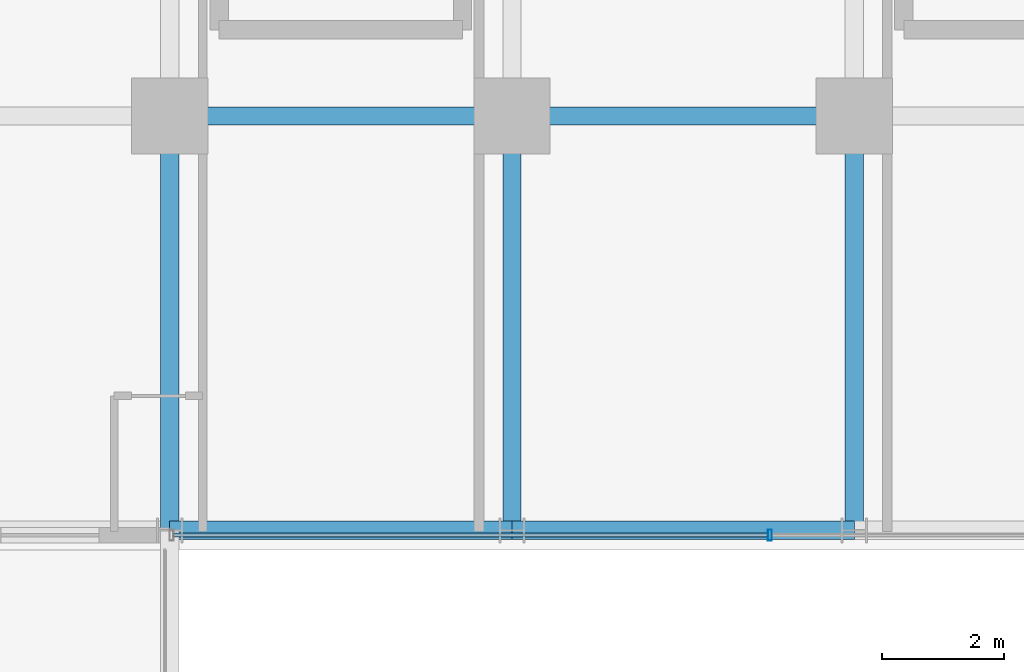
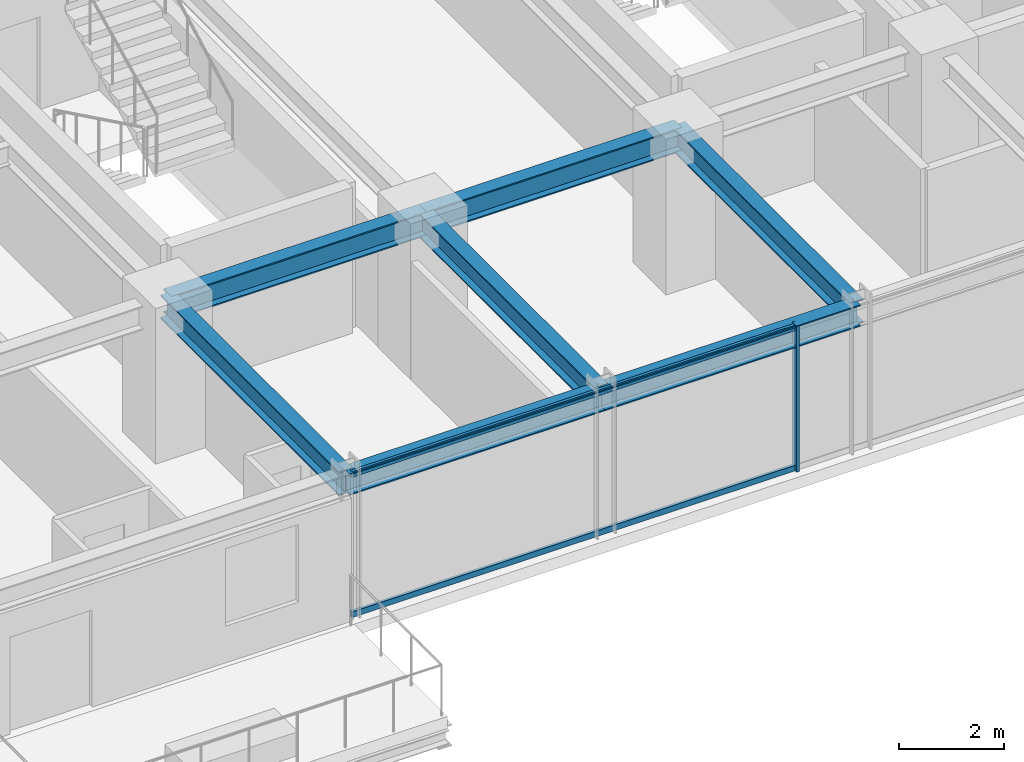
# One storey, part 6 of 32: 7 beams, 3 members, 1 element without a shape of its own.
"""IFC4 building model written with IfcOpenShell, lengths in metres."""

from ifc_helpers import new_model, si_unit, direction, frame, origin, origin_2d, place, context, subcontext, project, spatial, hollow_rectangle, i_section, extrude, source, transform, mapped, material, material_profile, profile_set, type_object, element, aggregate, save


model = new_model("IFC4")

# Units and contexts
model_context = context("Model", 3, precision=1e-05, world=origin(), true_north=direction((0.0, 1.0)))
body_context = subcontext(model_context, "Body", "Model", "MODEL_VIEW")
ifc_project = project(units=[si_unit("LENGTHUNIT", "METRE"), si_unit("AREAUNIT", "SQUARE_METRE"), si_unit("VOLUMEUNIT", "CUBIC_METRE"), si_unit("PLANEANGLEUNIT", "RADIAN"), si_unit("MASSUNIT", "GRAM", prefix="KILO")], contexts=[model_context])

# Site, building, storey
site_placement = place(None, origin())
site = spatial("IfcSite", under=ifc_project, at=site_placement, CompositionType="ELEMENT")
building_placement = place(site_placement, origin())
building = spatial("IfcBuilding", under=site, at=building_placement, Name="Nahalor Promenade Grand Hotel", CompositionType="ELEMENT")
storey_placement = place(building_placement, frame((0.0, 0.0, 124.800048828125)))
storey = spatial("IfcBuildingStorey", under=building, at=storey_placement, Name="L31", CompositionType="ELEMENT", Elevation=124.800048828125)

# Beams
ifc_material_1 = material(Name="Steel S355JR", Category="steel")
ifc_material_profile_1 = material_profile(ifc_material_1, i_section(OverallWidth=0.3, OverallDepth=0.5, WebThickness=0.0145, FlangeThickness=0.028, at=origin_2d()), Name="HEB 500")
ifc_profile_set_1 = profile_set([ifc_material_profile_1], Name="Steel S355JR")
beam_type_1 = type_object("IfcBeamType", Name="Beam-Spandrel-HEB500", PredefinedType="SPANDREL", material=ifc_profile_set_1)
shared_shape_1 = source(origin(), body_context, "Body", "SweptSolid", [
    extrude(i_section(OverallWidth=0.3, OverallDepth=0.5, WebThickness=0.0145, FlangeThickness=0.028, at=origin_2d()), origin(), (0.0, 0.0, 1.0), 5.599853515625),
])
beam_1_placement = place(storey_placement, frame((-8.39990234375, -23.780029296875, 3.1298828125), z_axis=(1.0, 0.0, 0.0), x_axis=(0.0, 1.0, 0.0)))
element("IfcBeam", 1, at=beam_1_placement, inside=storey, type_object=beam_type_1, Name="BM-L31-SP-S-1", PredefinedType="SPANDREL", context=body_context, shape_type="MappedRepresentation", body=[
    mapped(shared_shape_1, transform((0.0, 0.0, 0.0), scale=1.0)),
])
shared_shape_2 = source(origin(), body_context, "Body", "SweptSolid", [
    extrude(i_section(OverallWidth=0.3, OverallDepth=0.5, WebThickness=0.0145, FlangeThickness=0.028, at=origin_2d()), origin(), (0.0, 0.0, 1.0), 5.60009765625),
])
beam_2_placement = place(storey_placement, frame((-2.800048828125, -23.780029296875, 3.1298828125), z_axis=(1.0, 0.0, 0.0), x_axis=(0.0, 1.0, 0.0)))
element("IfcBeam", 2, at=beam_2_placement, inside=storey, type_object=beam_type_1, Name="BM-L31-SP-S-2", PredefinedType="SPANDREL", context=body_context, shape_type="MappedRepresentation", body=[
    mapped(shared_shape_2, transform((0.0, 0.0, 0.0), scale=1.0)),
])
ifc_material_profile_2 = material_profile(ifc_material_1, i_section(OverallWidth=0.3, OverallDepth=0.55, WebThickness=0.015, FlangeThickness=0.029, at=origin_2d()), Name="HEB 550")
ifc_profile_set_2 = profile_set([ifc_material_profile_2], Name="Steel S355JR")
beam_type_2 = type_object("IfcBeamType", Name="Beam-Girder-HEB550", PredefinedType="BEAM", material=ifc_profile_set_2)
shared_shape_3 = source(origin(), body_context, "Body", "SweptSolid", [
    extrude(i_section(OverallWidth=0.3, OverallDepth=0.55, WebThickness=0.015, FlangeThickness=0.029, at=origin_2d()), origin(), (0.0, 0.0, 1.0), 6.780029296875),
])
for number, where, z_axis, x_axis, name in (
    (3, (-8.39990234375, -23.780029296875, 3.10498046875), (0.0, 1.0, 0.0), (-1.0, 0.0, 0.0), "BM-L31-GY-1-0"),
    (4, (-2.800048828125, -23.780029296875, 3.10498046875), (0.0, 1.0, 0.0), (-1.0, 0.0, 0.0), "BM-L31-GY-2-0"),
    (5, (2.800048828125, -23.780029296875, 3.10498046875), (0.0, 1.0, 0.0), (-1.0, 0.0, 0.0), "BM-L31-GY-3-0"),
):
    element("IfcBeam", number, at=place(storey_placement, frame(where, z_axis=z_axis, x_axis=x_axis)), inside=storey, type_object=beam_type_2, Name=name, PredefinedType="BEAM", context=body_context, shape_type="MappedRepresentation", body=[
        mapped(shared_shape_3, transform((0.0, 0.0, 0.0), scale=1.0)),
    ])
shared_shape_4 = source(origin(), body_context, "Body", "SweptSolid", [
    extrude(i_section(OverallWidth=0.3, OverallDepth=0.55, WebThickness=0.015, FlangeThickness=0.029, at=origin_2d()), origin(), (0.0, 0.0, 1.0), 5.599853515625),
])
beam_3_placement = place(storey_placement, frame((-8.39990234375, -17.0, 3.10498046875), z_axis=(1.0, 0.0, 0.0), x_axis=(0.0, 1.0, 0.0)))
element("IfcBeam", 6, at=beam_3_placement, inside=storey, type_object=beam_type_2, Name="BM-L31-GX-0-2", PredefinedType="BEAM", context=body_context, shape_type="MappedRepresentation", body=[
    mapped(shared_shape_4, transform((0.0, 0.0, 0.0), scale=1.0)),
])
shared_shape_5 = source(origin(), body_context, "Body", "SweptSolid", [
    extrude(i_section(OverallWidth=0.3, OverallDepth=0.55, WebThickness=0.015, FlangeThickness=0.029, at=origin_2d()), origin(), (0.0, 0.0, 1.0), 5.60009765625),
])
beam_4_placement = place(storey_placement, frame((-2.800048828125, -17.0, 3.10498046875), z_axis=(1.0, 0.0, 0.0), x_axis=(0.0, 1.0, 0.0)))
element("IfcBeam", 7, at=beam_4_placement, inside=storey, type_object=beam_type_2, Name="BM-L31-GX-0-3", PredefinedType="BEAM", context=body_context, shape_type="MappedRepresentation", body=[
    mapped(shared_shape_5, transform((0.0, 0.0, 0.0), scale=1.0)),
])

# Curtain wall, members
ifc_material_2 = material(Name="Anodised Bronze Aluminium EN AW-6063 T6", Category="aluminium")
curtain_wall_type = type_object("IfcCurtainWallType", Name="CW2 Typical Hotel Flush Bronze Unitised Curtain Wall", PredefinedType="USERDEFINED", material=ifc_material_2)
curtain_wall_placement = place(storey_placement, origin())
curtain_wall = element("IfcCurtainWall", 8, at=curtain_wall_placement, inside=storey, type_object=curtain_wall_type, Name="L31 Curtain Wall CW-L31-S-3", ObjectType="UNITISED_CURTAIN_WALL", PredefinedType="USERDEFINED")
ifc_material_profile_3 = material_profile(ifc_material_2, hollow_rectangle(XDim=0.065, YDim=0.18, WallThickness=0.004, at=origin_2d()), Name="CWM 65x180x4")
ifc_profile_set_3 = profile_set([ifc_material_profile_3], Name="Anodised Bronze Aluminium EN AW-6063 T6")
member_type_1 = type_object("IfcMemberType", Name="CWM2 Typical Bronze Mullion 65x180", PredefinedType="MULLION", material=ifc_profile_set_3)
shared_shape_6 = source(origin(), body_context, "Body", "SweptSolid", [
    extrude(hollow_rectangle(XDim=0.065, YDim=0.18, WallThickness=0.004, at=origin_2d()), origin(), (0.0, 0.0, 1.0), 3.3798828125),
])
member_1_placement = place(storey_placement, frame((1.419921875, -23.860107421875, 0.0), z_axis=(0.0, 0.0, 1.0), x_axis=(1.0, 0.0, 0.0)))
member_1 = element("IfcMember", 9, at=member_1_placement, type_object=member_type_1, Name="CW-L31-S-3 Mullion 1", PredefinedType="MULLION", context=body_context, shape_type="MappedRepresentation", body=[
    mapped(shared_shape_6, transform((0.0, 0.0, 0.0), scale=1.0)),
])
ifc_material_profile_4 = material_profile(ifc_material_2, hollow_rectangle(XDim=0.065, YDim=0.13, WallThickness=0.004, at=origin_2d()), Name="CWT 65x130x4")
ifc_profile_set_4 = profile_set([ifc_material_profile_4], Name="Anodised Bronze Aluminium EN AW-6063 T6")
member_type_2 = type_object("IfcMemberType", Name="CWT2 Typical Bronze Transom 65x130", PredefinedType="USERDEFINED", material=ifc_profile_set_4)
shared_shape_7 = source(origin(), body_context, "Body", "SweptSolid", [
    extrude(hollow_rectangle(XDim=0.065, YDim=0.13, WallThickness=0.004, at=origin_2d()), origin(), (0.0, 0.0, 1.0), 9.722412109375),
])
member_2_placement = place(storey_placement, frame((-8.3349609375, -23.860107421875, 0.06494140625), z_axis=(1.0, 0.0, 0.0), x_axis=(0.0, 1.0, 0.0)))
member_2 = element("IfcMember", 10, at=member_2_placement, type_object=member_type_2, Name="CW-L31-S-3 Transom 0-0", ObjectType="TRANSOM", PredefinedType="USERDEFINED", context=body_context, shape_type="MappedRepresentation", body=[
    mapped(shared_shape_7, transform((0.0, 0.0, 0.0), scale=1.0)),
])
member_3_placement = place(storey_placement, frame((-8.3349609375, -23.860107421875, 3.31494140625), z_axis=(1.0, 0.0, 0.0), x_axis=(0.0, 1.0, 0.0)))
member_3 = element("IfcMember", 11, at=member_3_placement, type_object=member_type_2, Name="CW-L31-S-3 Transom 0-1", ObjectType="TRANSOM", PredefinedType="USERDEFINED", context=body_context, shape_type="MappedRepresentation", body=[
    mapped(shared_shape_7, transform((0.0, 0.0, 0.0), scale=1.0)),
])
aggregate(curtain_wall, [member_1, member_2, member_3])

save(model, "model.ifc")
